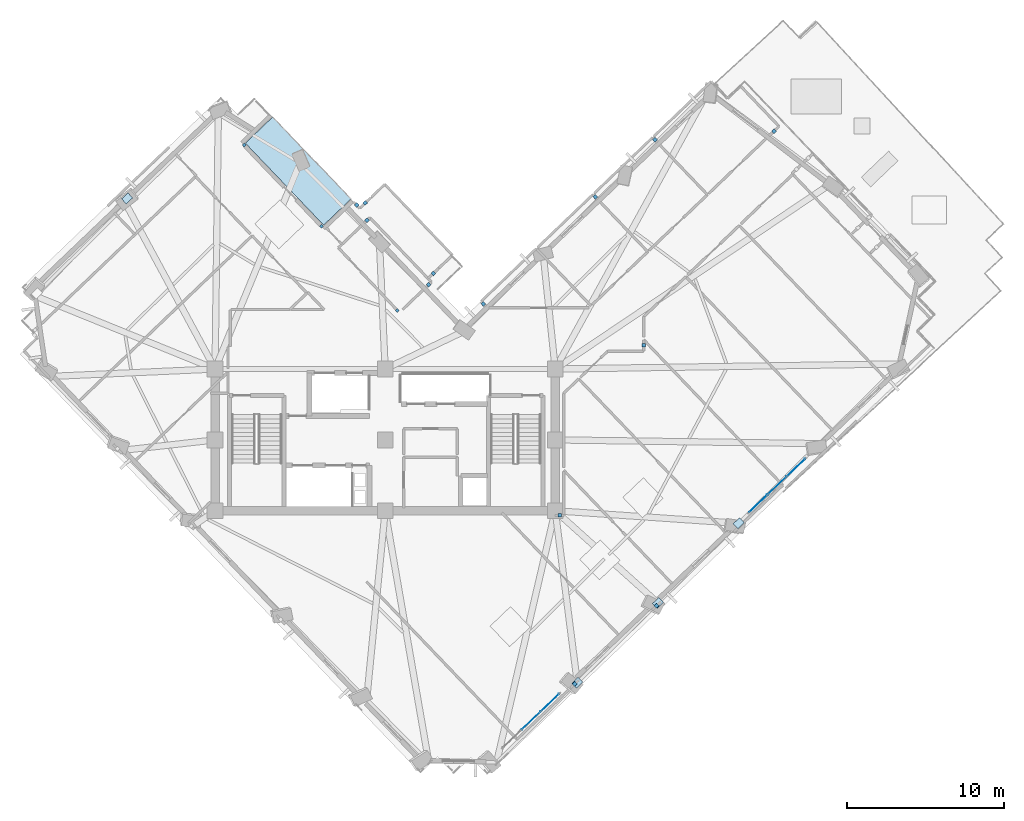
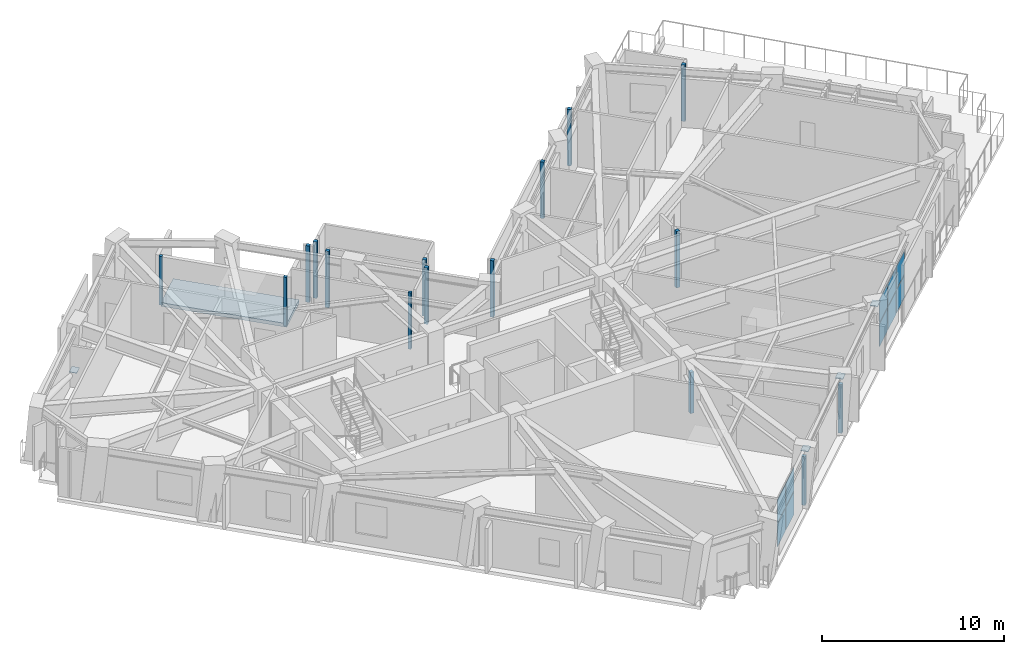
# One storey, part 7 of 17: 30 plates, 1 slab, 2 elements without a shape of their own.
"""IFC4 building model written with IfcOpenShell, lengths in metres."""

from ifc_helpers import new_model, si_unit, direction, frame, origin, origin_2d, place, context, subcontext, project, spatial, polyline, rectangle, outline, extrude, material, layer, layer_set, type_object, element, aggregate, save


model = new_model("IFC4")

# Units and contexts
model_context = context("Model", 3, precision=1e-05, world=origin(), true_north=direction((0.0, 1.0)))
body_context = subcontext(model_context, "Body", "Model", "MODEL_VIEW")
ifc_project = project(units=[si_unit("LENGTHUNIT", "METRE"), si_unit("AREAUNIT", "SQUARE_METRE"), si_unit("VOLUMEUNIT", "CUBIC_METRE"), si_unit("PLANEANGLEUNIT", "RADIAN"), si_unit("MASSUNIT", "GRAM", prefix="KILO")], contexts=[model_context])

# Site, building, storey
site_placement = place(None, origin())
site = spatial("IfcSite", under=ifc_project, at=site_placement, CompositionType="ELEMENT")
building_placement = place(site_placement, origin())
building = spatial("IfcBuilding", under=site, at=building_placement, Name="Gaonmaruhae Medical Tower", CompositionType="ELEMENT")
storey_placement = place(building_placement, frame((0.0, 0.0, 211.199951171875)))
storey = spatial("IfcBuildingStorey", under=building, at=storey_placement, Name="L50", CompositionType="ELEMENT", Elevation=211.199951171875)

# Curtain wall, plates
ifc_material_1 = material(Name="Anodised aluminium and Low-E double glazing", Category="aluminium")
curtain_wall_type = type_object("IfcCurtainWallType", Name="CW-S4 Setback Sky Garden Wintergarden Curtain Wall", PredefinedType="NOTDEFINED", material=ifc_material_1)
curtain_wall_1_placement = place(storey_placement, origin())
curtain_wall_1 = element("IfcCurtainWall", 1, at=curtain_wall_1_placement, inside=storey, type_object=curtain_wall_type, Name="L50 Curtain Wall CW-L50-S01", PredefinedType="NOTDEFINED")
ifc_material_2 = material(Name="Low-E double solar glass", Category="glass")
ifc_layer_1 = layer(ifc_material_2, 0.028076171875)
ifc_layer_set_1 = layer_set([ifc_layer_1], Name="Low-E double solar glass")
plate_type_1 = type_object("IfcPlateType", Name="CWP-V1 Low-E Double Vision Glazing Panel", PredefinedType="CURTAIN_PANEL", material=ifc_layer_set_1)
plate_1_placement = place(storey_placement, frame((35.271240234375, -4.37890625, 0.06494140625), z_axis=(0.0, 0.0, 1.0), x_axis=(-0.722967183097, -0.690882372162, 0.0)))
plate_1 = element("IfcPlate", 2, at=plate_1_placement, type_object=plate_type_1, Name="CW-S4 panel 1.1", PredefinedType="CURTAIN_PANEL", context=body_context, shape_type="SweptSolid", body=[
    extrude(rectangle(XDim=1.586669921875, YDim=0.028076171875, at=origin_2d()), origin(), (0.0, 0.0, 1.0), 1.534912109375),
])
plate_2_placement = place(storey_placement, frame((35.271240234375, -4.37890625, 1.6650390625), z_axis=(0.0, 0.0, 1.0), x_axis=(-0.722967183097, -0.690882372162, 0.0)))
plate_2 = element("IfcPlate", 3, at=plate_2_placement, type_object=plate_type_1, Name="CW-S4 panel 1.2", PredefinedType="CURTAIN_PANEL", context=body_context, shape_type="SweptSolid", body=[
    extrude(rectangle(XDim=1.586669921875, YDim=0.028076171875, at=origin_2d()), origin(), (0.0, 0.0, 1.0), 1.534912109375),
])
plate_3_placement = place(storey_placement, frame((34.0654296875, -5.53125, 0.06494140625), z_axis=(0.0, 0.0, 1.0), x_axis=(-0.722967183097, -0.690882372162, 0.0)))
plate_3 = element("IfcPlate", 4, at=plate_3_placement, type_object=plate_type_1, Name="CW-S4 panel 2.1", PredefinedType="CURTAIN_PANEL", context=body_context, shape_type="SweptSolid", body=[
    extrude(rectangle(XDim=1.619140625, YDim=0.028076171875, at=origin_2d()), origin(), (0.0, 0.0, 1.0), 1.534912109375),
])
plate_4_placement = place(storey_placement, frame((34.0654296875, -5.53125, 1.6650390625), z_axis=(0.0, 0.0, 1.0), x_axis=(-0.722967183097, -0.690882372162, 0.0)))
plate_4 = element("IfcPlate", 5, at=plate_4_placement, type_object=plate_type_1, Name="CW-S4 panel 2.2", PredefinedType="CURTAIN_PANEL", context=body_context, shape_type="SweptSolid", body=[
    extrude(rectangle(XDim=1.619140625, YDim=0.028076171875, at=origin_2d()), origin(), (0.0, 0.0, 1.0), 1.534912109375),
])
aggregate(curtain_wall_1, [plate_1, plate_2, plate_3, plate_4])

curtain_wall_2_placement = place(storey_placement, origin())
curtain_wall_2 = element("IfcCurtainWall", 6, at=curtain_wall_2_placement, inside=storey, type_object=curtain_wall_type, Name="L50 Curtain Wall CW-L50-S04", PredefinedType="NOTDEFINED")
plate_5_placement = place(storey_placement, frame((50.88330078125, 10.540283203125, 0.06494140625), z_axis=(0.0, 0.0, 1.0), x_axis=(-0.72296374376, -0.690885971206, 0.0)))
plate_5 = element("IfcPlate", 7, at=plate_5_placement, type_object=plate_type_1, Name="CW-S4 panel 1.1", PredefinedType="CURTAIN_PANEL", context=body_context, shape_type="SweptSolid", body=[
    extrude(rectangle(XDim=1.57763671875, YDim=0.028076171875, at=origin_2d()), origin(), (0.0, 0.0, 1.0), 1.534912109375),
])
plate_6_placement = place(storey_placement, frame((50.88330078125, 10.540283203125, 1.6650390625), z_axis=(0.0, 0.0, 1.0), x_axis=(-0.72296374376, -0.690885971206, 0.0)))
plate_6 = element("IfcPlate", 8, at=plate_6_placement, type_object=plate_type_1, Name="CW-S4 panel 1.2", PredefinedType="CURTAIN_PANEL", context=body_context, shape_type="SweptSolid", body=[
    extrude(rectangle(XDim=1.57763671875, YDim=0.028076171875, at=origin_2d()), origin(), (0.0, 0.0, 1.0), 1.534912109375),
])
plate_7_placement = place(storey_placement, frame((49.683837890625, 9.394287109375, 0.06494140625), z_axis=(0.0, 0.0, 1.0), x_axis=(-0.72296374376, -0.690885971206, 0.0)))
plate_7 = element("IfcPlate", 9, at=plate_7_placement, type_object=plate_type_1, Name="CW-S4 panel 2.1", PredefinedType="CURTAIN_PANEL", context=body_context, shape_type="SweptSolid", body=[
    extrude(rectangle(XDim=1.610107421875, YDim=0.028076171875, at=origin_2d()), origin(), (0.0, 0.0, 1.0), 1.534912109375),
])
plate_8_placement = place(storey_placement, frame((49.683837890625, 9.394287109375, 1.6650390625), z_axis=(0.0, 0.0, 1.0), x_axis=(-0.72296374376, -0.690885971206, 0.0)))
plate_8 = element("IfcPlate", 10, at=plate_8_placement, type_object=plate_type_1, Name="CW-S4 panel 2.2", PredefinedType="CURTAIN_PANEL", context=body_context, shape_type="SweptSolid", body=[
    extrude(rectangle(XDim=1.610107421875, YDim=0.028076171875, at=origin_2d()), origin(), (0.0, 0.0, 1.0), 1.534912109375),
])
plate_9_placement = place(storey_placement, frame((48.484619140625, 8.248291015625, 0.06494140625), z_axis=(0.0, 0.0, 1.0), x_axis=(-0.72296374376, -0.690885971206, 0.0)))
plate_9 = element("IfcPlate", 11, at=plate_9_placement, type_object=plate_type_1, Name="CW-S4 panel 3.1", PredefinedType="CURTAIN_PANEL", context=body_context, shape_type="SweptSolid", body=[
    extrude(rectangle(XDim=1.57763671875, YDim=0.028076171875, at=origin_2d()), origin(), (0.0, 0.0, 1.0), 1.534912109375),
])
plate_10_placement = place(storey_placement, frame((48.484619140625, 8.248291015625, 1.6650390625), z_axis=(0.0, 0.0, 1.0), x_axis=(-0.72296374376, -0.690885971206, 0.0)))
plate_10 = element("IfcPlate", 12, at=plate_10_placement, type_object=plate_type_1, Name="CW-S4 panel 3.2", PredefinedType="CURTAIN_PANEL", context=body_context, shape_type="SweptSolid", body=[
    extrude(rectangle(XDim=1.57763671875, YDim=0.028076171875, at=origin_2d()), origin(), (0.0, 0.0, 1.0), 1.534912109375),
])
aggregate(curtain_wall_2, [plate_5, plate_6, plate_7, plate_8, plate_9, plate_10])

# Plates
ifc_material_3 = material(Name="Steel HSA650 (650 MPa)", Category="steel")
ifc_layer_2 = layer(ifc_material_3, 0.028076171875)
ifc_layer_set_2 = layer_set([ifc_layer_2], Name="Steel HSA650 (650 MPa)")
plate_type_2 = type_object("IfcPlateType", Name="GP-02 Tube Brace End Cap Gusset Plate", PredefinedType="USERDEFINED", material=ifc_layer_set_2)
for number, where, z_axis, x_axis, name in (
    (13, (8.4140625, 27.634765625, 0.23583984375), (0.0, 0.0, 1.0), (0.72296714591, 0.690882411077, 0.0), "L50 Gusset Cap Plate PLT-L50-PBR-N02A"),
    (14, (37.00048828125, -3.11669921875, 3.61083984375), (0.0, 0.0, 1.0), (0.711413030818, 0.702774145499, 0.0), "L50 Gusset Cap Plate PLT-L50-SGPR1A"),
    (15, (42.12255859375, 1.943359375, 3.61083984375), (0.0, 0.0, 1.0), (0.711413030818, 0.702774145499, 0.0), "L50 Gusset Cap Plate PLT-L50-SGPR1B"),
    (16, (47.244873046875, 7.003173828125, 3.61083984375), (0.0, 0.0, 1.0), (0.711413030818, 0.702774145499, 0.0), "L50 Gusset Cap Plate PLT-L50-SGPR2B"),
):
    element("IfcPlate", number, at=place(storey_placement, frame(where, z_axis=z_axis, x_axis=x_axis)), inside=storey, type_object=plate_type_2, Name=name, ObjectType="GUSSET_PLATE", PredefinedType="USERDEFINED", context=body_context, shape_type="SweptSolid", body=[
        extrude(rectangle(XDim=0.56005859375, YDim=0.43994140625, at=origin_2d()), origin(), (0.0, 0.0, 1.0), 0.028076171875),
    ])
ifc_material_4 = material(Name="Anodised aluminium 6063-T6", Category="aluminium")
ifc_layer_3 = layer(ifc_material_4, 0.011962890625)
ifc_layer_set_3 = layer_set([ifc_layer_3], Name="Anodised aluminium 6063-T6")
plate_type_3 = type_object("IfcPlateType", Name="PP-01 Interior Partition Corner Stiffener Plate", PredefinedType="SHEET", material=ifc_layer_set_3)
for number, where, z_axis, x_axis, name in (
    (17, (15.8466796875, 31.016845703125, 0.0), (0.0, 0.0, 1.0), (0.690882411077, -0.72296714591, 0.0), "L50 Partition End Jamb Post Plate PLT-L50-ENDP-TERB-0"),
    (18, (20.765869140625, 25.869384765625, 0.0), (0.0, 0.0, 1.0), (0.690882411077, -0.72296714591, 0.0), "L50 Partition End Jamb Post Plate PLT-L50-ENDP-TERB-1"),
):
    element("IfcPlate", number, at=place(storey_placement, frame(where, z_axis=z_axis, x_axis=x_axis)), inside=storey, type_object=plate_type_3, Name=name, PredefinedType="SHEET", context=body_context, shape_type="SweptSolid", body=[
        extrude(rectangle(XDim=0.179931640625, YDim=0.179931640625, at=origin_2d()), origin(), (0.0, 0.0, 1.0), 3.264892578125),
    ])
plate_11_placement = place(storey_placement, frame((25.574951171875, 20.521728515625, 0.0), z_axis=(0.0, 0.0, 1.0), x_axis=(-0.685907262025, 0.727688963708, 0.0)))
element("IfcPlate", 19, at=plate_11_placement, inside=storey, type_object=plate_type_3, Name="L50 Partition End Jamb Post Plate PLT-L50-ENDP-PW082-0", PredefinedType="SHEET", context=body_context, shape_type="SweptSolid", body=[
    extrude(rectangle(XDim=0.179931640625, YDim=0.179931640625, at=origin_2d()), origin(), (0.0, 0.0, 1.0), 3.780029296875),
])
for number, where, z_axis, x_axis, name in (
    (20, (36.833984375, -3.202880859375, 0.0), (0.0, 0.0, 1.0), (-0.72329263629, -0.690541644138, 0.0), "L50 Partition Corner Stiffener Plate PLT-L50-JGP-PW011"),
    (21, (42.035400390625, 1.7666015625, 0.0), (0.0, 0.0, 1.0), (-0.723617966052, -0.690200723852, 0.0), "L50 Partition Corner Stiffener Plate PLT-L50-JGP-PW015"),
):
    element("IfcPlate", number, at=place(storey_placement, frame(where, z_axis=z_axis, x_axis=x_axis)), inside=storey, type_object=plate_type_3, Name=name, PredefinedType="SHEET", context=body_context, shape_type="SweptSolid", body=[
        extrude(rectangle(XDim=0.219970703125, YDim=0.219970703125, at=origin_2d()), origin(), (0.0, 0.0, 1.0), 3.264892578125),
    ])
plate_12_placement = place(storey_placement, frame((35.875, 7.5, 0.0), z_axis=(0.0, 0.0, 1.0), x_axis=(1.0, 0.0, 0.0)))
element("IfcPlate", 22, at=plate_12_placement, inside=storey, type_object=plate_type_3, Name="L50 Partition Corner Stiffener Plate PLT-L50-JGP-PW016", PredefinedType="SHEET", context=body_context, shape_type="SweptSolid", body=[
    extrude(rectangle(XDim=0.219970703125, YDim=0.219970703125, at=origin_2d()), origin(), (0.0, 0.0, 1.0), 2.764892578125),
])
for number, where, z_axis, x_axis, name in (
    (23, (41.22998046875, 18.298583984375, 0.0), (0.0, 0.0, 1.0), (0.0, 1.0, 0.0), "L50 Partition Corner Stiffener Plate PLT-L50-JGP-PW021"),
    (24, (31.032470703125, 20.93896484375, 0.0), (0.0, 0.0, 1.0), (-0.692004593099, 0.721893096746, 0.0), "L50 Partition Corner Stiffener Plate PLT-L50-JGP-PW062"),
    (25, (38.1435546875, 27.734619140625, 0.0), (0.0, 0.0, 1.0), (0.690857174342, -0.722991261815, 0.0), "L50 Partition Corner Stiffener Plate PLT-L50-JGP-PW065"),
    (26, (41.931396484375, 31.3544921875, 0.0), (0.0, 0.0, 1.0), (0.690857174342, -0.722991261815, 0.0), "L50 Partition Corner Stiffener Plate PLT-L50-JGP-PW069"),
    (27, (49.491943359375, 31.908447265625, 0.0), (0.0, 0.0, 1.0), (-0.723413147526, -0.690415395241, 0.0), "L50 Partition Corner Stiffener Plate PLT-L50-JGP-PW073"),
    (28, (23.654541015625, 26.244384765625, 0.0), (0.0, 0.0, 1.0), (0.723401097394, 0.690428021077, 0.0), "L50 Partition Corner Stiffener Plate PLT-L50-JGP-PW078"),
    (29, (27.5615234375, 22.155517578125, 0.0), (0.0, 0.0, 1.0), (-0.723401097394, -0.690428021077, 0.0), "L50 Partition Corner Stiffener Plate PLT-L50-JGP-PW080"),
    (30, (22.990966796875, 27.217041015625, 0.0), (0.0, 0.0, 1.0), (0.69064262811, -0.723196211438, 0.0), "L50 Partition Corner Stiffener Plate PLT-L50-JGP-PW094"),
    (31, (23.532958984375, 27.35205078125, 0.0), (0.0, 0.0, 1.0), (0.723401097394, 0.690428021077, 0.0), "L50 Partition Corner Stiffener Plate PLT-L50-JGP-PW095"),
    (32, (27.862548828125, 22.8720703125, 0.0), (0.0, 0.0, 1.0), (-0.723027434021, -0.690819317661, 0.0), "L50 Partition Corner Stiffener Plate PLT-L50-JGP-PW097"),
):
    element("IfcPlate", number, at=place(storey_placement, frame(where, z_axis=z_axis, x_axis=x_axis)), inside=storey, type_object=plate_type_3, Name=name, PredefinedType="SHEET", context=body_context, shape_type="SweptSolid", body=[
        extrude(rectangle(XDim=0.219970703125, YDim=0.219970703125, at=origin_2d()), origin(), (0.0, 0.0, 1.0), 3.780029296875),
    ])

# Slab
ifc_material_5 = material(Name="Concrete C40/50", Category="concrete")
ifc_layer_4 = layer(ifc_material_5, 0.239990234375)
ifc_layer_set_4 = layer_set([ifc_layer_4], Name="Concrete C40/50")
slab_type = type_object("IfcSlabType", Name="TS-240 Sky Garden & Recovery Terrace Slab", PredefinedType="FLOOR", material=ifc_layer_set_4)
slab_placement = place(storey_placement, frame((0.0, 0.0, -0.239990234375)))
element("IfcSlab", 33, at=slab_placement, inside=storey, type_object=slab_type, Name="L50 Outdoor Recovery Terrace Slab", PredefinedType="FLOOR", context=body_context, shape_type="SweptSolid", body=[
    extrude(outline(polyline([(20.89453125, 25.93701171875), (22.629638671875, 27.59521484375), (17.6552734375, 32.800537109375), (15.920166015625, 31.142333984375), (20.89453125, 25.93701171875)])), origin(), (0.0, 0.0, 1.0), 0.239990234375),
])

save(model, "model.ifc")
